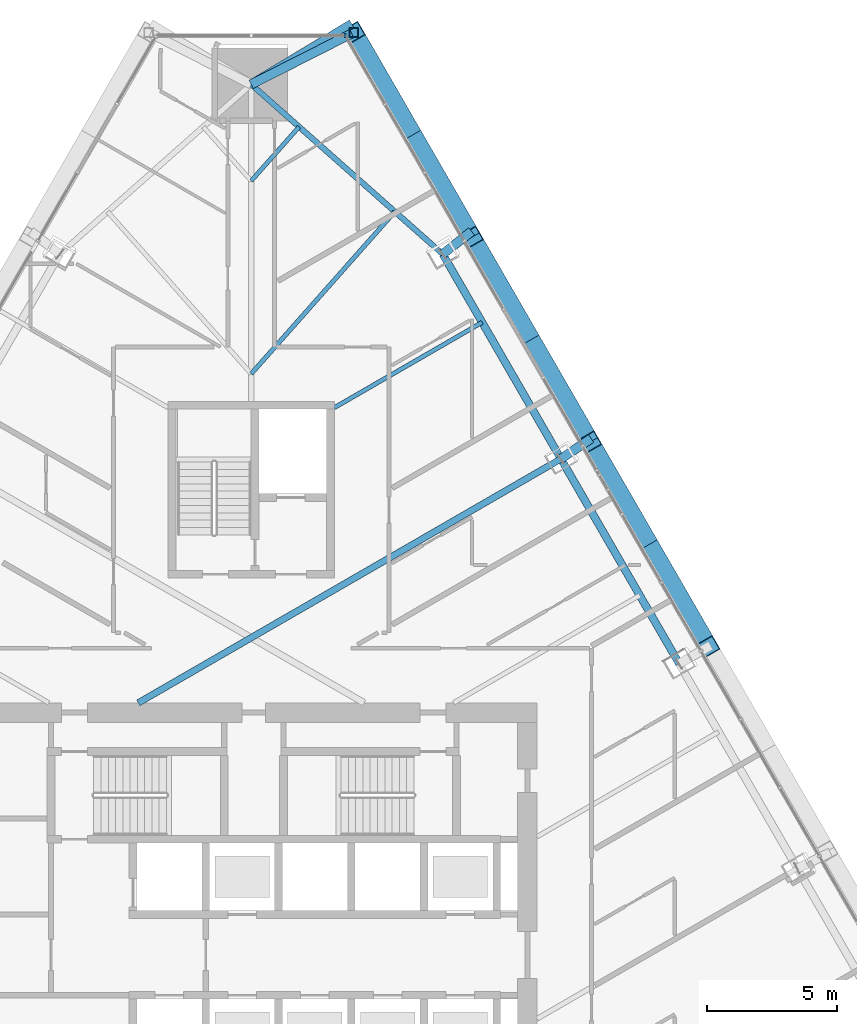
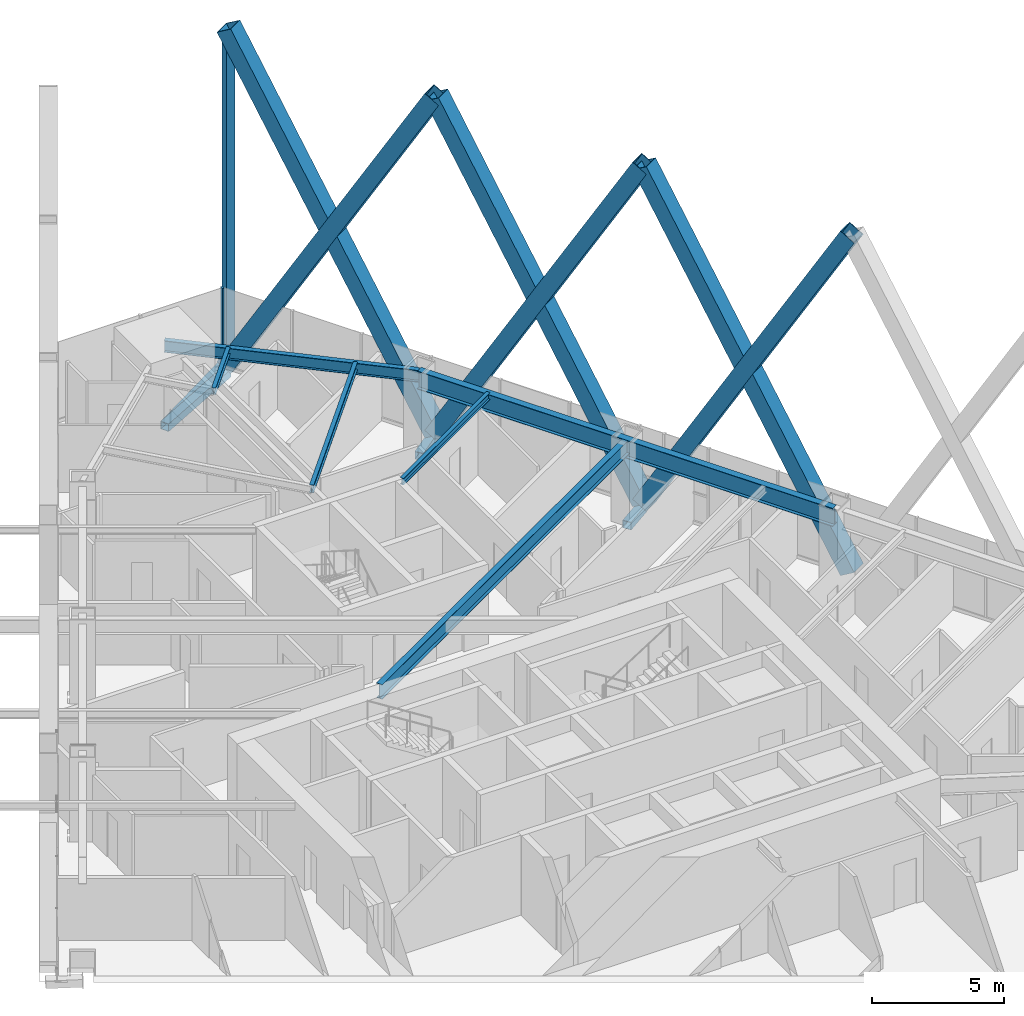
# One storey, part 12 of 26: 12 members, 6 beams, 1 element without a shape of its own.
"""IFC4 building model written with IfcOpenShell, lengths in metres."""

from ifc_helpers import new_model, si_unit, direction, frame, origin, origin_2d, place, context, subcontext, project, spatial, rectangle, hollow_rectangle, i_section, extrude, material, layer, layer_set, material_profile, profile_set, type_object, element, aggregate, save


model = new_model("IFC4")

# Units and contexts
model_context = context("Model", 3, precision=1e-05, world=origin(), true_north=direction((0.0, 1.0)))
body_context = subcontext(model_context, "Body", "Model", "MODEL_VIEW")
ifc_project = project(units=[si_unit("LENGTHUNIT", "METRE"), si_unit("AREAUNIT", "SQUARE_METRE"), si_unit("VOLUMEUNIT", "CUBIC_METRE"), si_unit("PLANEANGLEUNIT", "RADIAN"), si_unit("MASSUNIT", "GRAM", prefix="KILO")], contexts=[model_context])

# Site, building, storey
site_placement = place(None, origin())
site = spatial("IfcSite", under=ifc_project, at=site_placement, CompositionType="ELEMENT")
building_placement = place(site_placement, origin())
building = spatial("IfcBuilding", under=site, at=building_placement, Name="Firuza Gate Tower and Library", CompositionType="ELEMENT")
storey_placement = place(building_placement, frame((0.0, 0.0, 155.800048828125)))
storey = spatial("IfcBuildingStorey", under=building, at=storey_placement, Name="L35", CompositionType="ELEMENT", Elevation=155.800048828125)

# Members
ifc_material_1 = material(Name="Steel S355", Category="steel")
ifc_material_profile_1 = material_profile(ifc_material_1, hollow_rectangle(XDim=0.699951171875, YDim=0.699951171875, WallThickness=0.030029296875, at=origin_2d()))
ifc_profile_set_1 = profile_set([ifc_material_profile_1], Name="Steel S355")
member_type_1 = type_object("IfcMemberType", Name="BU700x700x30 Lattice brace", PredefinedType="BRACE", material=ifc_profile_set_1)
for number, where, z_axis, x_axis, name in (
    (1, (92.596435546875, 85.1591796875, 0.0), (-0.251939638216, 0.436369132457, 0.863775664704), (-0.866023855101, -0.500002682389, 0.0), "Lattice brace E 8.4R"),
    (2, (88.04638671875, 93.0400390625, 0.0), (0.251939638216, -0.436369132457, 0.863775664704), (0.866023855101, 0.500002682389, 0.0), "Lattice brace E 8.4L"),
    (3, (88.04638671875, 93.0400390625, 0.0), (-0.251939638216, 0.436369132457, 0.863775664704), (-0.866023855101, -0.500002682389, 0.0), "Lattice brace E 8.5R"),
    (4, (83.496337890625, 100.9208984375, 0.0), (0.251939638216, -0.436369132457, 0.863775664704), (0.866023855101, 0.500002682389, 0.0), "Lattice brace E 8.5L"),
    (5, (83.496337890625, 100.9208984375, 0.0), (-0.251939638216, 0.436369132457, 0.863775664704), (-0.866023855101, -0.500002682389, 0.0), "Lattice brace E 8.6R"),
    (6, (78.9462890625, 108.8017578125, 0.0), (0.251939638216, -0.436369132457, 0.863775664704), (0.866023855101, 0.500002682389, 0.0), "Lattice brace E 8.6L"),
):
    element("IfcMember", number, at=place(storey_placement, frame(where, z_axis=z_axis, x_axis=x_axis)), inside=storey, type_object=member_type_1, Name=name, PredefinedType="BRACE", context=body_context, shape_type="SweptSolid", body=[
        extrude(hollow_rectangle(XDim=0.699951171875, YDim=0.699951171875, WallThickness=0.030029296875, at=origin_2d()), origin(), (0.0, 0.0, 1.0), 18.06005859375),
    ])

# Curtain wall, member
ifc_material_2 = material(Name="Aluminium 6063-T6", Category="aluminium")
ifc_layer = layer(ifc_material_2, 0.14990234375)
ifc_layer_set = layer_set([ifc_layer], Name="Corner curtain wall, chamfers")
curtain_wall_type = type_object("IfcCurtainWallType", Name="Corner curtain wall, chamfers", PredefinedType="NOTDEFINED", material=ifc_layer_set)
curtain_wall_placement = place(storey_placement, origin())
curtain_wall = element("IfcCurtainWall", 7, at=curtain_wall_placement, inside=storey, type_object=curtain_wall_type, Name="CW4 L35 N corner", PredefinedType="NOTDEFINED")
ifc_material_3 = material(Name="Aluminium 6063-T6", Category="aluminium")
ifc_material_profile_2 = material_profile(ifc_material_3, rectangle(XDim=0.14990234375, YDim=0.080078125, at=origin_2d()))
ifc_profile_set_2 = profile_set([ifc_material_profile_2], Name="Aluminium 6063-T6")
member_type_2 = type_object("IfcMemberType", Name="Curtain wall mullion 80x150", PredefinedType="MULLION", material=ifc_profile_set_2)
member_1_placement = place(storey_placement, frame((78.603271484375, 108.6767578125, 0.14990234375), z_axis=(0.0, 0.0, 1.0), x_axis=(0.0, -1.0, 0.0)))
member_1 = element("IfcMember", 8, at=member_1_placement, type_object=member_type_2, Name="Mullion", PredefinedType="MULLION", context=body_context, shape_type="SweptSolid", body=[
    extrude(rectangle(XDim=0.14990234375, YDim=0.080078125, at=origin_2d()), origin(), (0.0, 0.0, 1.0), 3.550048828125),
])
aggregate(curtain_wall, [member_1])

# Members
ifc_material_4 = material(Name="Steel S355", Category="steel")
ifc_material_profile_3 = material_profile(ifc_material_4, hollow_rectangle(XDim=0.355712890625, YDim=0.355712890625, WallThickness=0.014892578125, at=origin_2d()))
ifc_profile_set_3 = profile_set([ifc_material_profile_3], Name="Steel S355")
member_type_3 = type_object("IfcMemberType", Name="HSS356x356x16 Lattice corner stile", PredefinedType="BRACE", material=ifc_profile_set_3)
member_2_placement = place(storey_placement, frame((78.9462890625, 108.8017578125, -0.14013671875), z_axis=(0.0, 0.0, 1.0), x_axis=(1.0, 0.0, 0.0)))
element("IfcMember", 9, at=member_2_placement, inside=storey, type_object=member_type_3, Name="Lattice corner stile E 8.B", PredefinedType="BRACE", context=body_context, shape_type="SweptSolid", body=[
    extrude(hollow_rectangle(XDim=0.355712890625, YDim=0.355712890625, WallThickness=0.014892578125, at=origin_2d()), origin(), (0.0, 0.0, 1.0), 15.239990234375),
])
ifc_material_5 = material(Name="Steel S355", Category="steel")
ifc_material_profile_4 = material_profile(ifc_material_5, hollow_rectangle(XDim=0.355712890625, YDim=0.355712890625, WallThickness=0.014892578125, at=origin_2d()))
ifc_profile_set_4 = profile_set([ifc_material_profile_4], Name="Steel S355")
member_type_4 = type_object("IfcMemberType", Name="HSS356x356x16 Lattice node tie", PredefinedType="BRACE", material=ifc_profile_set_4)
member_3_placement = place(storey_placement, frame((75.0, 106.8017578125, -0.340087890625), z_axis=(0.85731646751, 0.51478973818, 0.0), x_axis=(-0.51478973818, 0.85731646751, 0.0)))
element("IfcMember", 10, at=member_3_placement, inside=storey, type_object=member_type_4, Name="Lattice node tie E L35 148", PredefinedType="BRACE", context=body_context, shape_type="SweptSolid", body=[
    extrude(hollow_rectangle(XDim=0.355712890625, YDim=0.355712890625, WallThickness=0.014892578125, at=origin_2d()), origin(), (0.0, 0.0, 1.0), 4.518310546875),
])
member_4_placement = place(storey_placement, frame((75.0, 106.8017578125, -0.340087890625), z_axis=(0.891983447411, 0.452068058531, 0.0), x_axis=(-0.452068058531, 0.891983447411, 0.0)))
element("IfcMember", 11, at=member_4_placement, inside=storey, type_object=member_type_4, Name="Lattice node tie E L35 149", PredefinedType="BRACE", context=body_context, shape_type="SweptSolid", body=[
    extrude(hollow_rectangle(XDim=0.355712890625, YDim=0.355712890625, WallThickness=0.014892578125, at=origin_2d()), origin(), (0.0, 0.0, 1.0), 4.33935546875),
])
member_5_placement = place(storey_placement, frame((82.37060546875, 100.27099609375, -0.340087890625), z_axis=(0.786042867151, 0.61817199144, 0.0), x_axis=(-0.61817199144, 0.786042867151, 0.0)))
element("IfcMember", 12, at=member_5_placement, inside=storey, type_object=member_type_4, Name="Lattice node tie E L35 150", PredefinedType="BRACE", context=body_context, shape_type="SweptSolid", body=[
    extrude(hollow_rectangle(XDim=0.355712890625, YDim=0.355712890625, WallThickness=0.014892578125, at=origin_2d()), origin(), (0.0, 0.0, 1.0), 1.4150390625),
])
member_6_placement = place(storey_placement, frame((86.920654296875, 92.39013671875, -0.340087890625), z_axis=(0.827960374551, 0.560786606628, 0.0), x_axis=(-0.560786606628, 0.827960374551, 0.0)))
element("IfcMember", 13, at=member_6_placement, inside=storey, type_object=member_type_4, Name="Lattice node tie E L35 151", PredefinedType="BRACE", context=body_context, shape_type="SweptSolid", body=[
    extrude(hollow_rectangle(XDim=0.355712890625, YDim=0.355712890625, WallThickness=0.014892578125, at=origin_2d()), origin(), (0.0, 0.0, 1.0), 1.403564453125),
])

# Beams
ifc_material_6 = material(Name="Steel S355", Category="steel")
ifc_material_profile_5 = material_profile(ifc_material_6, i_section(OverallWidth=0.1650390625, OverallDepth=0.31005859375, WebThickness=0.005859375, FlangeThickness=0.009765625, at=origin_2d()))
ifc_profile_set_5 = profile_set([ifc_material_profile_5], Name="Steel S355")
beam_type_1 = type_object("IfcBeamType", Name="W310x39 Floor beam", PredefinedType="JOIST", material=ifc_profile_set_5)
beam_1_placement = place(storey_placement, frame((83.88720703125, 97.64404296875, 3.544921875), z_axis=(-0.866031432752, -0.499989557376, 0.0), x_axis=(0.499989557376, -0.866031432752, 0.0)))
element("IfcBeam", 14, at=beam_1_placement, inside=storey, type_object=beam_type_1, Name="Floor beam L35 s55", PredefinedType="JOIST", context=body_context, shape_type="SweptSolid", body=[
    extrude(i_section(OverallWidth=0.1650390625, OverallDepth=0.31005859375, WebThickness=0.005859375, FlangeThickness=0.009765625, at=origin_2d()), origin(), (0.0, 0.0, 1.0), 6.567138671875),
])
beam_2_placement = place(storey_placement, frame((76.842529296875, 105.169189453125, 3.544921875), z_axis=(-0.663157635911, -0.748479759201, 0.0), x_axis=(0.748479759201, -0.663157635911, 0.0)))
element("IfcBeam", 15, at=beam_2_placement, inside=storey, type_object=beam_type_1, Name="Floor beam L35 s61", PredefinedType="JOIST", context=body_context, shape_type="SweptSolid", body=[
    extrude(i_section(OverallWidth=0.1650390625, OverallDepth=0.31005859375, WebThickness=0.005859375, FlangeThickness=0.009765625, at=origin_2d()), origin(), (0.0, 0.0, 1.0), 2.7783203125),
])
ifc_material_7 = material(Name="Steel S355", Category="steel")
ifc_material_profile_6 = material_profile(ifc_material_7, i_section(OverallWidth=0.1708984375, OverallDepth=0.35498046875, WebThickness=0.007080078125, FlangeThickness=0.01171875, at=origin_2d()))
ifc_profile_set_6 = profile_set([ifc_material_profile_6], Name="Steel S355")
beam_type_2 = type_object("IfcBeamType", Name="W360x51 Floor beam", PredefinedType="JOIST", material=ifc_profile_set_6)
beam_3_placement = place(storey_placement, frame((80.52783203125, 101.903564453125, 3.5224609375), z_axis=(-0.663188582837, -0.748452338893, 0.0), x_axis=(0.748452338893, -0.663188582837, 0.0)))
element("IfcBeam", 16, at=beam_3_placement, inside=storey, type_object=beam_type_2, Name="Floor beam L35 s60", PredefinedType="JOIST", context=body_context, shape_type="SweptSolid", body=[
    extrude(i_section(OverallWidth=0.1708984375, OverallDepth=0.35498046875, WebThickness=0.007080078125, FlangeThickness=0.01171875, at=origin_2d()), origin(), (0.0, 0.0, 1.0), 8.335205078125),
])
ifc_material_8 = material(Name="Steel S355", Category="steel")
ifc_material_profile_7 = material_profile(ifc_material_8, i_section(OverallWidth=0.212890625, OverallDepth=0.5390625, WebThickness=0.01171875, FlangeThickness=0.018798828125, at=origin_2d()))
ifc_profile_set_7 = profile_set([ifc_material_profile_7], Name="Steel S355")
beam_type_3 = type_object("IfcBeamType", Name="W530x109 Edge beam", PredefinedType="SPANDREL", material=ifc_profile_set_7)
beam_4_placement = place(storey_placement, frame((82.37060546875, 100.27099609375, 3.430419921875), z_axis=(-0.748461599546, 0.663178131429, 0.0), x_axis=(-0.663178131429, -0.748461599546, 0.0)))
element("IfcBeam", 17, at=beam_4_placement, inside=storey, type_object=beam_type_3, Name="Edge beam L35 e60", PredefinedType="SPANDREL", context=body_context, shape_type="SweptSolid", body=[
    extrude(i_section(OverallWidth=0.212890625, OverallDepth=0.5390625, WebThickness=0.01171875, FlangeThickness=0.018798828125, at=origin_2d()), origin(), (0.0, 0.0, 1.0), 9.84765625),
])
ifc_material_9 = material(Name="Steel S355", Category="steel")
ifc_material_profile_8 = material_profile(ifc_material_9, i_section(OverallWidth=0.2529296875, OverallDepth=0.677978515625, WebThickness=0.01171875, FlangeThickness=0.016357421875, at=origin_2d()))
ifc_profile_set_8 = profile_set([ifc_material_profile_8], Name="Steel S355")
beam_type_4 = type_object("IfcBeamType", Name="W690x125 Floor beam", PredefinedType="JOIST", material=ifc_profile_set_8)
beam_5_placement = place(storey_placement, frame((86.920654296875, 92.39013671875, 3.36083984375), z_axis=(-0.866024954766, -0.500000777721, 0.0), x_axis=(0.500000777721, -0.866024954766, 0.0)))
element("IfcBeam", 18, at=beam_5_placement, inside=storey, type_object=beam_type_4, Name="Floor beam L35 s54", PredefinedType="JOIST", context=body_context, shape_type="SweptSolid", body=[
    extrude(i_section(OverallWidth=0.2529296875, OverallDepth=0.677978515625, WebThickness=0.01171875, FlangeThickness=0.016357421875, at=origin_2d()), origin(), (0.0, 0.0, 1.0), 18.7802734375),
])
ifc_material_10 = material(Name="Steel S355", Category="steel")
ifc_material_profile_9 = material_profile(ifc_material_10, i_section(OverallWidth=0.2919921875, OverallDepth=0.8349609375, WebThickness=0.013916015625, FlangeThickness=0.018798828125, at=origin_2d()))
ifc_profile_set_9 = profile_set([ifc_material_profile_9], Name="Steel S355")
beam_type_5 = type_object("IfcBeamType", Name="W840x176 Edge beam", PredefinedType="SPANDREL", material=ifc_profile_set_9)
beam_6_placement = place(storey_placement, frame((91.470458984375, 84.50927734375, 3.282470703125), z_axis=(-0.499992621638, 0.866029663642, 0.0), x_axis=(-0.866029663642, -0.499992621638, 0.0)))
element("IfcBeam", 19, at=beam_6_placement, inside=storey, type_object=beam_type_5, Name="Edge beam L35 e52", PredefinedType="SPANDREL", context=body_context, shape_type="SweptSolid", body=[
    extrude(i_section(OverallWidth=0.2919921875, OverallDepth=0.8349609375, WebThickness=0.013916015625, FlangeThickness=0.018798828125, at=origin_2d()), origin(), (0.0, 0.0, 1.0), 18.199951171875),
])

save(model, "model.ifc")
